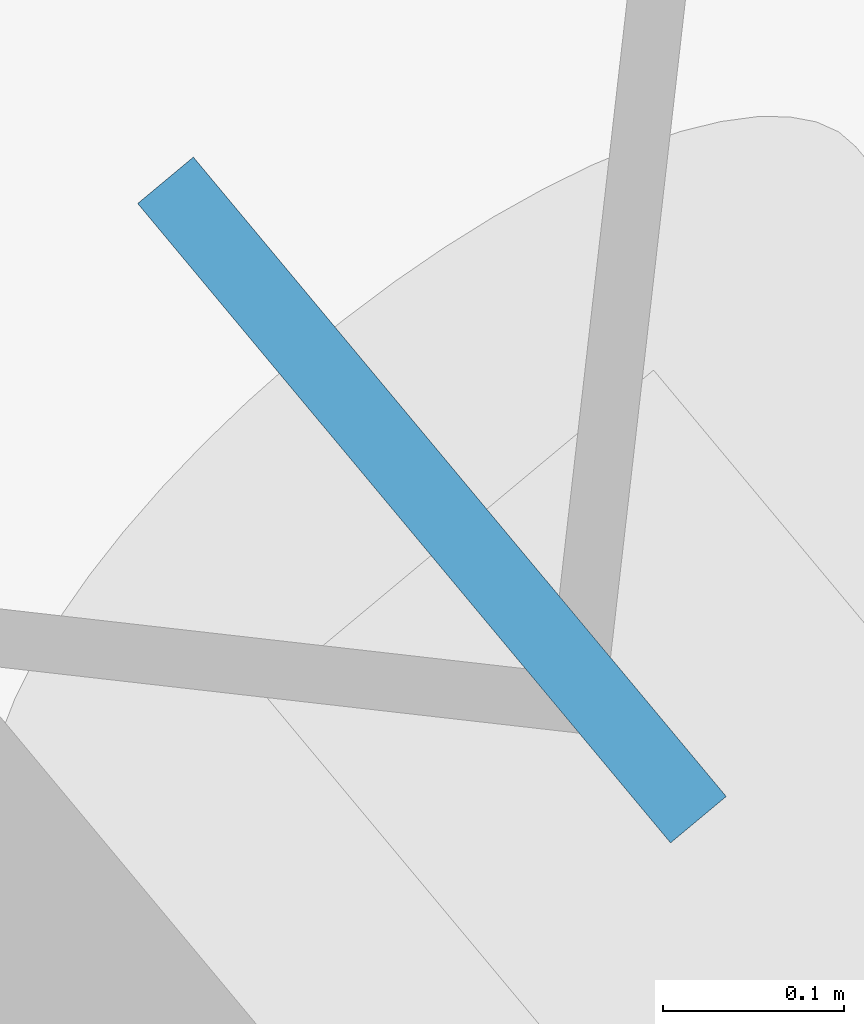
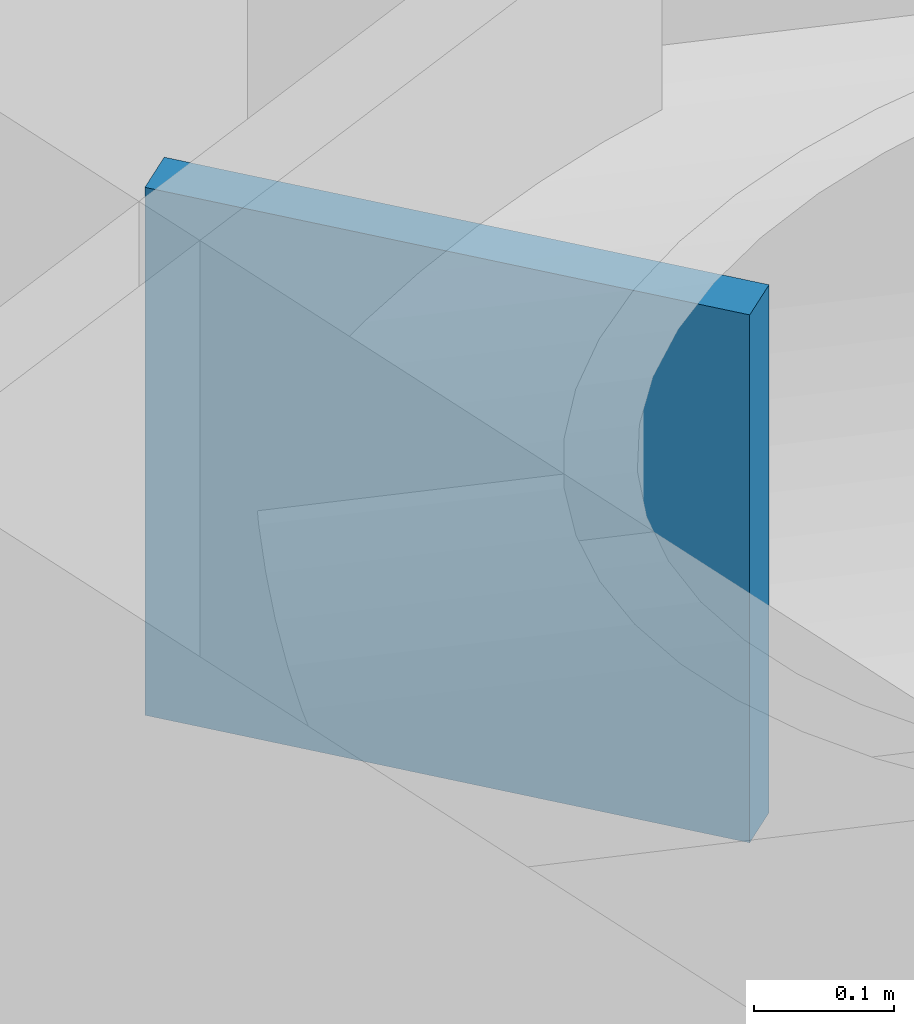
# One storey, part 21 of 22: 1 discrete accessory.
"""IFC4 building model written with IfcOpenShell, lengths in metres."""

from ifc_helpers import new_model, si_unit, direction, frame, origin, origin_2d, place, context, subcontext, project, spatial, rectangle, extrude, material, type_object, element, save


model = new_model("IFC4")

# Units and contexts
model_context = context("Model", 3, precision=1e-05, world=origin(), true_north=direction((0.0, 1.0)))
body_context = subcontext(model_context, "Body", "Model", "MODEL_VIEW")
ifc_project = project(units=[si_unit("LENGTHUNIT", "METRE"), si_unit("AREAUNIT", "SQUARE_METRE"), si_unit("VOLUMEUNIT", "CUBIC_METRE"), si_unit("PLANEANGLEUNIT", "RADIAN"), si_unit("MASSUNIT", "GRAM", prefix="KILO")], contexts=[model_context])

# Site, building, storey
site_placement = place(None, origin())
site = spatial("IfcSite", under=ifc_project, at=site_placement, CompositionType="ELEMENT")
building_placement = place(site_placement, origin())
building = spatial("IfcBuilding", under=site, at=building_placement, Name="Tavrogorsk Clinical Tower", CompositionType="ELEMENT")
storey_placement = place(building_placement, frame((0.0, 0.0, 93.39990234375)))
storey = spatial("IfcBuildingStorey", under=building, at=storey_placement, Name="L20", CompositionType="ELEMENT", Elevation=93.39990234375)

# Discrete accessory
ifc_material = material(Name="Structural steel S440", Category="steel")
discrete_accessory_type = type_object("IfcDiscreteAccessoryType", Name="GussetPlateBracket_25", PredefinedType="BRACKET", material=ifc_material)
discrete_accessory_placement = place(storey_placement, frame((37.2109375, 18.06640625, 0.197021484375), z_axis=(0.0, 0.0, 1.0), x_axis=(0.640243780506, -0.768171791674, 0.0)))
element("IfcDiscreteAccessory", 1, at=discrete_accessory_placement, inside=storey, type_object=discrete_accessory_type, Name="L20 Brace Gusset Plate EXOCRN-L20-2-A", PredefinedType="BRACKET", context=body_context, shape_type="SweptSolid", body=[
    extrude(rectangle(XDim=0.4599609375, YDim=0.0400390625, at=origin_2d()), origin(), (0.0, 0.0, 1.0), 0.4599609375),
])

save(model, "model.ifc")
